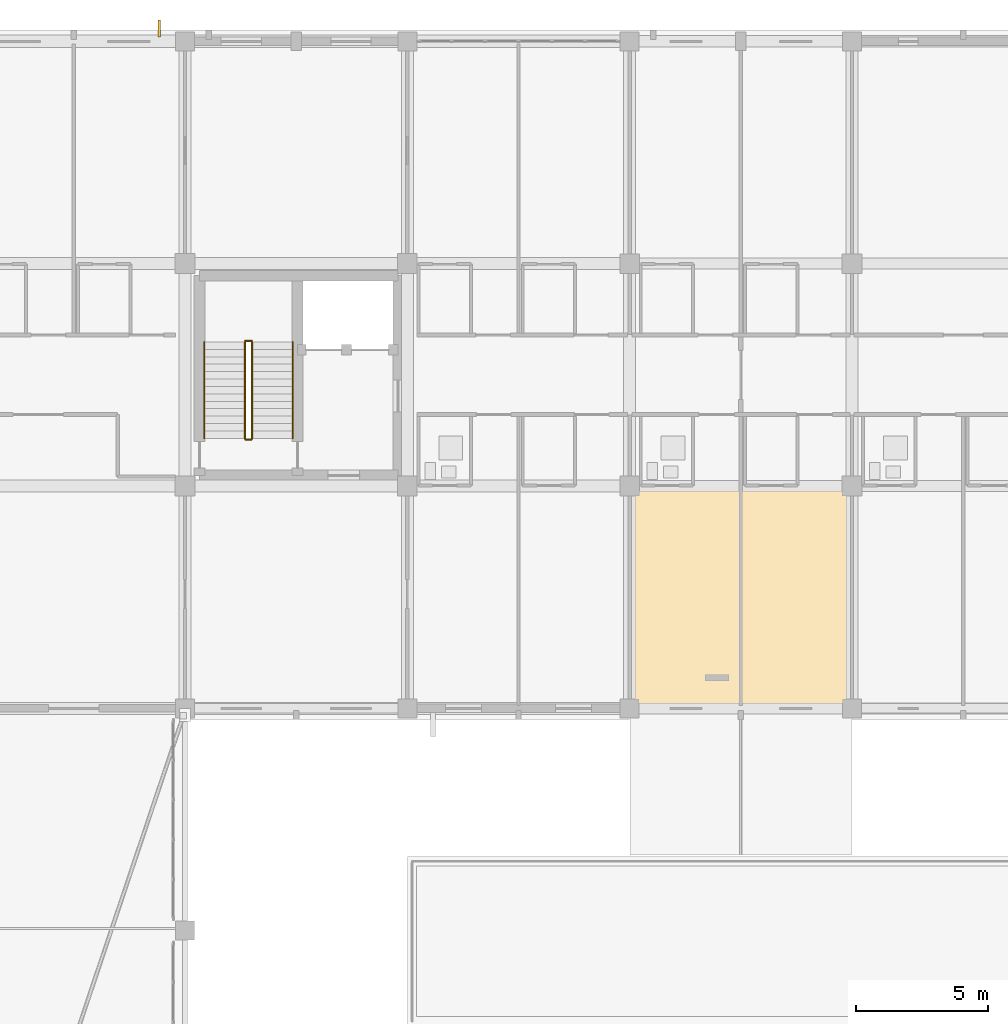
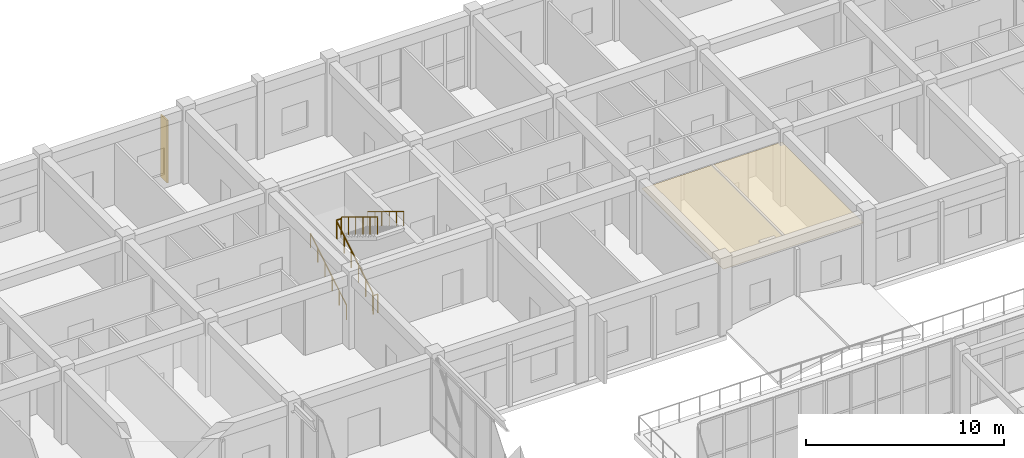
# One storey, part 155 of 158: 6 railings, 1 covering, 1 shading device.
"""IFC4 building model written with IfcOpenShell, lengths in metres."""

import ifcopenshell
import ifcopenshell.guid

model = None  # the IFC model being written
_history = None  # IfcOwnerHistory: only IFC2X3 demands one
_inside = {}  # id of a spatial element -> (the spatial element, [elements in it])
_under = {}  # id of a project, library or spatial element -> (it, [spatial elements below it])
_declared = {}  # id of a project -> (the project, [libraries it declares])
_typed = {}  # id of a type object -> (the type object, [elements of that type])
_made_of = {}  # id of a material, layer set ... -> (it, [elements and type objects made of it])


def new_model(schema):
    """Start an empty IFC model of exactly this schema.

    Asked for "IFC4X3", IfcOpenShell would pick the latest addendum, in which some entities
    have other attributes; the version numbers below select the first issue.
    IFC2X3 requires an IfcOwnerHistory on every rooted entity: one is made here for all.
    """
    global model, _history
    if schema == "IFC4X3":
        model = ifcopenshell.file(schema_version=(4, 3, 0, 0))
    else:
        model = ifcopenshell.file(schema=schema)
    _inside.clear()
    _under.clear()
    _declared.clear()
    _typed.clear()
    _made_of.clear()
    _history = None
    if model.schema == "IFC2X3":
        org = make("IfcOrganization", Name="unknown")
        user = make(
            "IfcPersonAndOrganization",
            ThePerson=make("IfcPerson", FamilyName="unknown"),
            TheOrganization=org,
        )
        app = make(
            "IfcApplication",
            ApplicationDeveloper=org,
            Version="unknown",
            ApplicationFullName="unknown",
            ApplicationIdentifier="unknown",
        )
        _history = make(
            "IfcOwnerHistory",
            OwningUser=user,
            OwningApplication=app,
            ChangeAction="ADDED",
            CreationDate=0,
        )
    return model


def make(cls, **values):
    """One entity of the class cls with the attributes given. An attribute that is None is left unset."""
    return model.create_entity(
        cls, **{name: value for name, value in values.items() if value is not None}
    )


def rooted(cls, **values):
    """An entity with a GlobalId (a new one), such as an element, a storey or a relation."""
    return make(cls, GlobalId=ifcopenshell.guid.new(), OwnerHistory=_history, **values)


def si_unit(unit_type, name, prefix=None):
    """IfcSIUnit, for example si_unit("LENGTHUNIT", "METRE", prefix="MILLI")."""
    return make("IfcSIUnit", UnitType=unit_type, Prefix=prefix, Name=name)


def assignment(units):
    """IfcUnitAssignment: the units of a project."""
    return None if units is None else make("IfcUnitAssignment", Units=units)


def point(xyz):
    """IfcCartesianPoint."""
    return None if xyz is None else make("IfcCartesianPoint", Coordinates=xyz)


def direction(xyz):
    """IfcDirection."""
    return None if xyz is None else make("IfcDirection", DirectionRatios=xyz)


def frame(location, z_axis=None, x_axis=None):
    """IfcAxis2Placement3D, a coordinate frame: its origin and axes. An axis left out is left unset."""
    return make(
        "IfcAxis2Placement3D",
        Location=point(location),
        Axis=direction(z_axis),
        RefDirection=direction(x_axis),
    )


def frame_2d(location, x_axis=None):
    """IfcAxis2Placement2D, a coordinate frame in the plane: its origin and x axis."""
    return make(
        "IfcAxis2Placement2D", Location=point(location), RefDirection=direction(x_axis)
    )


def origin():
    """The frame at (0, 0, 0) with its axes left unset."""
    return frame((0.0, 0.0, 0.0))


def origin_2d():
    """The frame at (0, 0) in the plane with its x axis left unset."""
    return frame_2d((0.0, 0.0))


def place(relative_to, where):
    """IfcLocalPlacement: puts the frame where relative to a parent placement (None: the world)."""
    return make(
        "IfcLocalPlacement", PlacementRelTo=relative_to, RelativePlacement=where
    )


def context(
    kind, dimensions, precision=None, world=None, true_north=None, identifier=None
):
    """IfcGeometricRepresentationContext, for example the 3D "Model" context."""
    return make(
        "IfcGeometricRepresentationContext",
        ContextIdentifier=identifier,
        ContextType=kind,
        CoordinateSpaceDimension=dimensions,
        Precision=precision,
        WorldCoordinateSystem=world,
        TrueNorth=true_north,
    )


def subcontext(parent, identifier, kind, view, scale=None):
    """IfcGeometricRepresentationSubContext, for example "Body" below "Model"."""
    return make(
        "IfcGeometricRepresentationSubContext",
        ContextIdentifier=identifier,
        ContextType=kind,
        ParentContext=parent,
        TargetScale=scale,
        TargetView=view,
    )


def project(units=None, contexts=None):
    """IfcProject with its units and contexts."""
    return rooted(
        "IfcProject",
        Name="project",
        RepresentationContexts=contexts,
        UnitsInContext=assignment(units),
    )


def spatial(cls, under=None, at=None, **own):
    """A site, building, storey or space (cls), placed at a placement, below another one or the project."""
    s = rooted(cls, ObjectPlacement=at, **own)
    if under is not None:
        _under.setdefault(under.id(), (under, []))[1].append(s)
    return s


def polyline(points):
    """IfcPolyline through the points."""
    return make("IfcPolyline", Points=[point(p) for p in points])


def profile(cls, at=None, kind="AREA", **sizes):
    """A parametric profile (cls). Its sizes go by their IFC names, for example OverallWidth=200.0."""
    return make(cls, ProfileType=kind, Position=at, **sizes)


def rectangle(**sizes):
    """IfcRectangleProfileDef."""
    return profile("IfcRectangleProfileDef", **sizes)


def circle(**sizes):
    """IfcCircleProfileDef."""
    return profile("IfcCircleProfileDef", **sizes)


def outline(outer, holes=None, kind="AREA"):
    """IfcArbitraryClosedProfileDef: a profile drawn as a closed curve; with holes, ...WithVoids."""
    if holes is None:
        return make("IfcArbitraryClosedProfileDef", ProfileType=kind, OuterCurve=outer)
    return make(
        "IfcArbitraryProfileDefWithVoids",
        ProfileType=kind,
        OuterCurve=outer,
        InnerCurves=holes,
    )


def extrude(swept, where, along, depth):
    """IfcExtrudedAreaSolid: the profile swept, set in the frame where, extruded along a direction by depth."""
    return make(
        "IfcExtrudedAreaSolid",
        SweptArea=swept,
        Position=where,
        ExtrudedDirection=direction(along),
        Depth=depth,
    )


def shape(context_of_items, identifier, shape_type, items):
    """IfcShapeRepresentation: the items that make up one representation, for example the "Body"."""
    return make(
        "IfcShapeRepresentation",
        ContextOfItems=context_of_items,
        RepresentationIdentifier=identifier,
        RepresentationType=shape_type,
        Items=items,
    )


def material(Name=None, Category=None):
    """IfcMaterial."""
    return make("IfcMaterial", Name=Name, Category=Category)


def layer(
    of_material, thickness, ventilated=None, Name=None, Category=None, Priority=None
):
    """IfcMaterialLayer: one layer of a wall or slab, of a material (None: an air gap)."""
    return make(
        "IfcMaterialLayer",
        Material=of_material,
        LayerThickness=thickness,
        IsVentilated=ventilated,
        Name=Name,
        Category=Category,
        Priority=Priority,
    )


def layer_set(layers, Name=None):
    """IfcMaterialLayerSet."""
    return make("IfcMaterialLayerSet", MaterialLayers=layers, LayerSetName=Name)


def made_of(thing, what):
    """Note that an element or type object is made of a material, layer set ...; save() writes the relation."""
    if what is not None:
        _made_of.setdefault(what.id(), (what, []))[1].append(thing)
    return thing


def type_object(cls, material=None, **own):
    """A type object (cls), such as IfcWallType, which elements share."""
    return made_of(rooted(cls, **own), material)


def element(
    cls,
    number,
    at=None,
    inside=None,
    cuts=None,
    type_object=None,
    material=None,
    context=None,
    identifier="Body",
    shape_type=None,
    held_by="IfcProductDefinitionShape",
    body=None,
    shapes=None,
    **own,
):
    """One element of the class cls, such as IfcWall. Its Tag is "e" and its number.

    at: its placement. inside: the storey or other place that contains it. cuts: it is an
    opening in that element (IfcRelVoidsElement). A single representation is given by context,
    identifier, shape_type and body (its items); several are given by shapes. held_by: the class
    of the entity that holds the representations. save() writes the other relations.
    """
    e = rooted(cls, Tag="e%d" % number, ObjectPlacement=at, **own)
    if body is not None:
        shapes = [shape(context, identifier, shape_type, body)]
    if shapes is not None:
        e.Representation = make(held_by, Representations=shapes)
    if inside is not None:
        _inside.setdefault(inside.id(), (inside, []))[1].append(e)
    if cuts is not None:
        rooted(
            "IfcRelVoidsElement", RelatingBuildingElement=cuts, RelatedOpeningElement=e
        )
    if type_object is not None:
        _typed.setdefault(type_object.id(), (type_object, []))[1].append(e)
    return made_of(e, material)


def aggregate(whole, parts):
    """IfcRelAggregates: a whole, such as a stair, and the parts it consists of."""
    return rooted("IfcRelAggregates", RelatingObject=whole, RelatedObjects=parts)


def save(model, path):
    """Write the relations noted so far, then the file.

    IfcRelAggregates (storeys below a building ...), IfcRelContainedInSpatialStructure (elements
    in a storey), IfcRelDefinesByType, IfcRelAssociatesMaterial and IfcRelDeclares: one each for
    every whole, place, type object, material and project.
    """
    for whole, parts in _under.values():
        aggregate(whole, parts)
    for where, things in _inside.values():
        rooted(
            "IfcRelContainedInSpatialStructure",
            RelatedElements=things,
            RelatingStructure=where,
        )
    for kind, things in _typed.values():
        rooted("IfcRelDefinesByType", RelatedObjects=things, RelatingType=kind)
    for what, things in _made_of.values():
        rooted("IfcRelAssociatesMaterial", RelatedObjects=things, RelatingMaterial=what)
    for by, libraries in _declared.values():
        rooted("IfcRelDeclares", RelatingContext=by, RelatedDefinitions=libraries)
    model.write(path)


model = new_model("IFC4")

# Units and contexts
model_context = context("Model", 3, precision=1e-05, world=origin(), true_north=direction((0.0, 1.0)))
body_context = subcontext(model_context, "Body", "Model", "MODEL_VIEW")
ifc_project = project(units=[si_unit("LENGTHUNIT", "METRE"), si_unit("AREAUNIT", "SQUARE_METRE"), si_unit("VOLUMEUNIT", "CUBIC_METRE"), si_unit("PLANEANGLEUNIT", "RADIAN"), si_unit("MASSUNIT", "GRAM", prefix="KILO")], contexts=[model_context])

# Site, building, storey
site_placement = place(None, origin())
site = spatial("IfcSite", under=ifc_project, at=site_placement, CompositionType="ELEMENT")
building_placement = place(site_placement, origin())
building = spatial("IfcBuilding", under=site, at=building_placement, Name="Trelvath General Hospital", CompositionType="ELEMENT")
storey_placement = place(building_placement, frame((0.0, 0.0, 8.10009765625)))
storey = spatial("IfcBuildingStorey", under=building, at=storey_placement, Name="L02", CompositionType="ELEMENT", Elevation=8.10009765625)

# Covering
ifc_material_1 = material(Name="Hygienic acoustic ceiling tile")
ifc_layer = layer(ifc_material_1, 0.02490234375)
ifc_layer_set = layer_set([ifc_layer], Name="Hygienic acoustic ceiling tile")
covering_type = type_object("IfcCoveringType", Name="Ceiling ClinicalAcoustic", PredefinedType="CEILING", material=ifc_layer_set)
covering_placement = place(storey_placement, frame((0.0, 0.0, 3.719970703125)))
element("IfcCovering", 1, at=covering_placement, inside=storey, type_object=covering_type, Name="Clinical Acoustic Ceiling L02-35", PredefinedType="CEILING", context=body_context, shape_type="SweptSolid", body=[
    extrude(outline(polyline([(100.89990234375, 92.5), (109.10009765625, 92.5), (109.10009765625, 100.719970703125), (100.89990234375, 100.719970703125), (100.89990234375, 92.5)])), origin(), (0.0, 0.0, 1.0), 0.02490234375),
])

# Railings
ifc_material_2 = material(Name="Architectural painted steel", Category="steel")
railing_type_1 = type_object("IfcRailingType", Name="Guardrail Terrace1150", PredefinedType="GUARDRAIL", material=ifc_material_2)
railing_1_placement = place(storey_placement, frame((86.27001953125, 102.56005859375, 0.0)))
element("IfcRailing", 2, at=railing_1_placement, inside=storey, type_object=railing_type_1, Name="Stair Well Edge Guard C2 L02 60", PredefinedType="GUARDRAIL", context=body_context, shape_type="SweptSolid", body=[
    extrude(circle(Radius=0.02392578125, at=origin_2d()), frame((0.0, 0.0, 1.1259765625), z_axis=(1.0, 0.0, 0.0), x_axis=(0.0, 1.0, 0.0)), (0.0, 0.0, 1.0), 0.260009765625),
    extrude(circle(Radius=0.02099609375, at=origin_2d()), origin(), (0.0, 0.0, 1.0), 1.099853515625),
    extrude(circle(Radius=0.02099609375, at=origin_2d()), frame((0.260009765625, 0.0, 0.0)), (0.0, 0.0, 1.0), 1.099853515625),
])
railing_2_placement = place(storey_placement, frame((86.530029296875, 106.239990234375, 2.5712890625)))
element("IfcRailing", 3, at=railing_2_placement, inside=storey, type_object=railing_type_1, Name="Stair Rail ST2 L02 F2 L 62", PredefinedType="GUARDRAIL", context=body_context, shape_type="SweptSolid", body=[
    extrude(circle(Radius=0.02392578125, at=origin_2d()), frame((0.0, 0.0, 1.076171875), z_axis=(0.0, -0.852850264322, 0.5221555579), x_axis=(1.0, 0.0, 0.0)), (0.0, 0.0, 1.0), 4.267822265625),
    extrude(circle(Radius=0.02099609375, at=origin_2d()), origin(), (0.0, 0.0, 1.0), 1.050048828125),
    extrude(circle(Radius=0.02099609375, at=origin_2d()), frame((0.0, -0.72802734375, 0.44580078125)), (0.0, 0.0, 1.0), 1.050048828125),
    extrude(circle(Radius=0.02099609375, at=origin_2d()), frame((0.0, -1.4560546875, 0.891357421875)), (0.0, 0.0, 1.0), 1.050048828125),
    extrude(circle(Radius=0.02099609375, at=origin_2d()), frame((0.0, -2.183837890625, 1.337158203125)), (0.0, 0.0, 1.0), 1.050048828125),
    extrude(circle(Radius=0.02099609375, at=origin_2d()), frame((0.0, -2.911865234375, 1.78271484375)), (0.0, 0.0, 1.0), 1.050048828125),
    extrude(circle(Radius=0.02099609375, at=origin_2d()), frame((0.0, -3.639892578125, 2.228515625)), (0.0, 0.0, 1.0), 1.050048828125),
])
railing_3_placement = place(storey_placement, frame((86.27001953125, 102.60009765625, 0.17138671875)))
element("IfcRailing", 4, at=railing_3_placement, inside=storey, type_object=railing_type_1, Name="Stair Rail ST2 L02 F1 R 63", PredefinedType="GUARDRAIL", context=body_context, shape_type="SweptSolid", body=[
    extrude(circle(Radius=0.02392578125, at=origin_2d()), frame((0.0, 0.0, 1.076171875), z_axis=(0.0, 0.852850264322, 0.5221555579), x_axis=(-1.0, 0.0, 0.0)), (0.0, 0.0, 1.0), 4.267822265625),
    extrude(circle(Radius=0.02099609375, at=origin_2d()), origin(), (0.0, 0.0, 1.0), 1.050048828125),
    extrude(circle(Radius=0.02099609375, at=origin_2d()), frame((0.0, 0.72802734375, 0.44580078125)), (0.0, 0.0, 1.0), 1.050048828125),
    extrude(circle(Radius=0.02099609375, at=origin_2d()), frame((0.0, 1.4560546875, 0.891357421875)), (0.0, 0.0, 1.0), 1.050048828125),
    extrude(circle(Radius=0.02099609375, at=origin_2d()), frame((0.0, 2.183837890625, 1.337158203125)), (0.0, 0.0, 1.0), 1.050048828125),
    extrude(circle(Radius=0.02099609375, at=origin_2d()), frame((0.0, 2.911865234375, 1.78271484375)), (0.0, 0.0, 1.0), 1.050048828125),
    extrude(circle(Radius=0.02099609375, at=origin_2d()), frame((0.0, 3.639892578125, 2.228515625)), (0.0, 0.0, 1.0), 1.050048828125),
])
railing_4_placement = place(storey_placement, frame((86.27001953125, 106.280029296875, 2.39990234375)))
element("IfcRailing", 5, at=railing_4_placement, inside=storey, type_object=railing_type_1, Name="Half-Landing Well Guard ST2 L02 65", PredefinedType="GUARDRAIL", context=body_context, shape_type="SweptSolid", body=[
    extrude(circle(Radius=0.02392578125, at=origin_2d()), frame((0.0, 0.0, 1.1259765625), z_axis=(1.0, 0.0, 0.0), x_axis=(0.0, 1.0, 0.0)), (0.0, 0.0, 1.0), 0.260009765625),
    extrude(circle(Radius=0.02099609375, at=origin_2d()), origin(), (0.0, 0.0, 1.0), 1.099853515625),
    extrude(circle(Radius=0.02099609375, at=origin_2d()), frame((0.260009765625, 0.0, 0.0)), (0.0, 0.0, 1.0), 1.099853515625),
])
ifc_material_3 = material(Name="Brushed stainless steel", Category="steel")
railing_type_2 = type_object("IfcRailingType", Name="Handrail Stair900", PredefinedType="HANDRAIL", material=ifc_material_3)
railing_5_placement = place(storey_placement, frame((84.72998046875, 102.60009765625, 0.17138671875)))
element("IfcRailing", 6, at=railing_5_placement, inside=storey, type_object=railing_type_2, Name="Stair Rail ST2 L02 F1 L 61", PredefinedType="HANDRAIL", context=body_context, shape_type="SweptSolid", body=[
    extrude(circle(Radius=0.02392578125, at=origin_2d()), frame((0.0, 0.0, 0.8759765625), z_axis=(0.0, 0.852850264322, 0.5221555579), x_axis=(-1.0, 0.0, 0.0)), (0.0, 0.0, 1.0), 4.267822265625),
    extrude(circle(Radius=0.02099609375, at=origin_2d()), origin(), (0.0, 0.0, 1.0), 0.849853515625),
    extrude(circle(Radius=0.02099609375, at=origin_2d()), frame((0.0, 0.72802734375, 0.44580078125)), (0.0, 0.0, 1.0), 0.849853515625),
    extrude(circle(Radius=0.02099609375, at=origin_2d()), frame((0.0, 1.4560546875, 0.891357421875)), (0.0, 0.0, 1.0), 0.849853515625),
    extrude(circle(Radius=0.02099609375, at=origin_2d()), frame((0.0, 2.183837890625, 1.337158203125)), (0.0, 0.0, 1.0), 0.849853515625),
    extrude(circle(Radius=0.02099609375, at=origin_2d()), frame((0.0, 2.911865234375, 1.78271484375)), (0.0, 0.0, 1.0), 0.849853515625),
    extrude(circle(Radius=0.02099609375, at=origin_2d()), frame((0.0, 3.639892578125, 2.228515625)), (0.0, 0.0, 1.0), 0.849853515625),
])
railing_6_placement = place(storey_placement, frame((88.070068359375, 106.239990234375, 2.5712890625)))
element("IfcRailing", 7, at=railing_6_placement, inside=storey, type_object=railing_type_2, Name="Stair Rail ST2 L02 F2 R 64", PredefinedType="HANDRAIL", context=body_context, shape_type="SweptSolid", body=[
    extrude(circle(Radius=0.02392578125, at=origin_2d()), frame((0.0, 0.0, 0.8759765625), z_axis=(0.0, -0.852850264322, 0.5221555579), x_axis=(1.0, 0.0, 0.0)), (0.0, 0.0, 1.0), 4.267822265625),
    extrude(circle(Radius=0.02099609375, at=origin_2d()), origin(), (0.0, 0.0, 1.0), 0.849853515625),
    extrude(circle(Radius=0.02099609375, at=origin_2d()), frame((0.0, -0.72802734375, 0.44580078125)), (0.0, 0.0, 1.0), 0.849853515625),
    extrude(circle(Radius=0.02099609375, at=origin_2d()), frame((0.0, -1.4560546875, 0.891357421875)), (0.0, 0.0, 1.0), 0.849853515625),
    extrude(circle(Radius=0.02099609375, at=origin_2d()), frame((0.0, -2.183837890625, 1.337158203125)), (0.0, 0.0, 1.0), 0.849853515625),
    extrude(circle(Radius=0.02099609375, at=origin_2d()), frame((0.0, -2.911865234375, 1.78271484375)), (0.0, 0.0, 1.0), 0.849853515625),
    extrude(circle(Radius=0.02099609375, at=origin_2d()), frame((0.0, -3.639892578125, 2.228515625)), (0.0, 0.0, 1.0), 0.849853515625),
])

# Shading device
ifc_material_4 = material(Name="Anodised aluminium", Category="aluminium")
shading_device_type = type_object("IfcShadingDeviceType", Name="SolarScreen PerforatedAlu", PredefinedType="JALOUSIE", material=ifc_material_4)
shading_device_placement = place(storey_placement, frame((83.02978515625, 118.080078125, 0.0), z_axis=(0.0, 0.0, 1.0), x_axis=(0.0, 1.0, 0.0)))
element("IfcShadingDevice", 8, at=shading_device_placement, inside=storey, type_object=shading_device_type, Name="Solar Brise-Soleil Screen L02-41", PredefinedType="JALOUSIE", context=body_context, shape_type="SweptSolid", body=[
    extrude(rectangle(XDim=0.64990234375, YDim=0.080078125, at=origin_2d()), origin(), (0.0, 0.0, 1.0), 3.860107421875),
])

save(model, "model.ifc")
